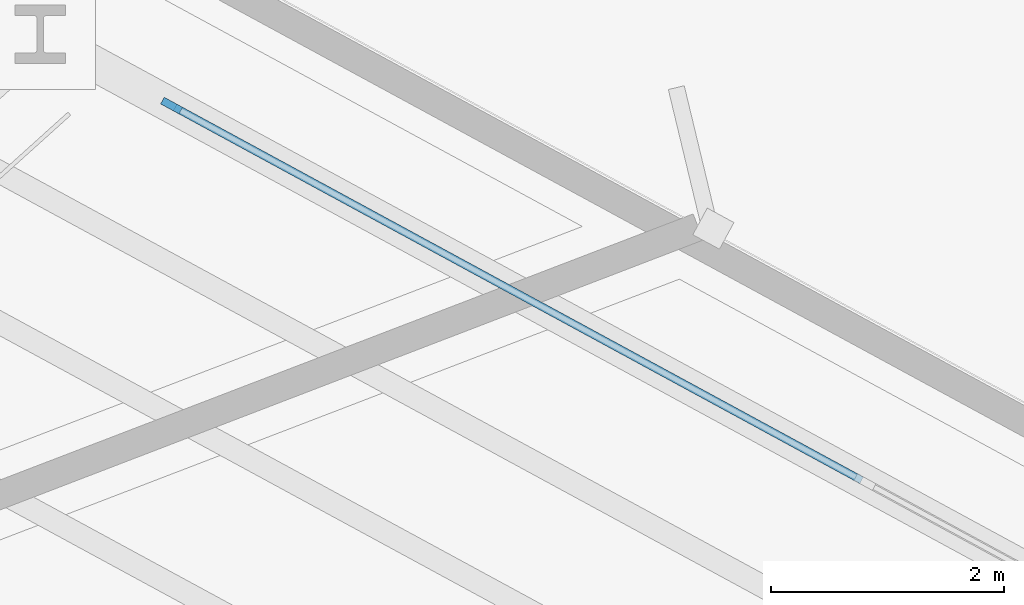
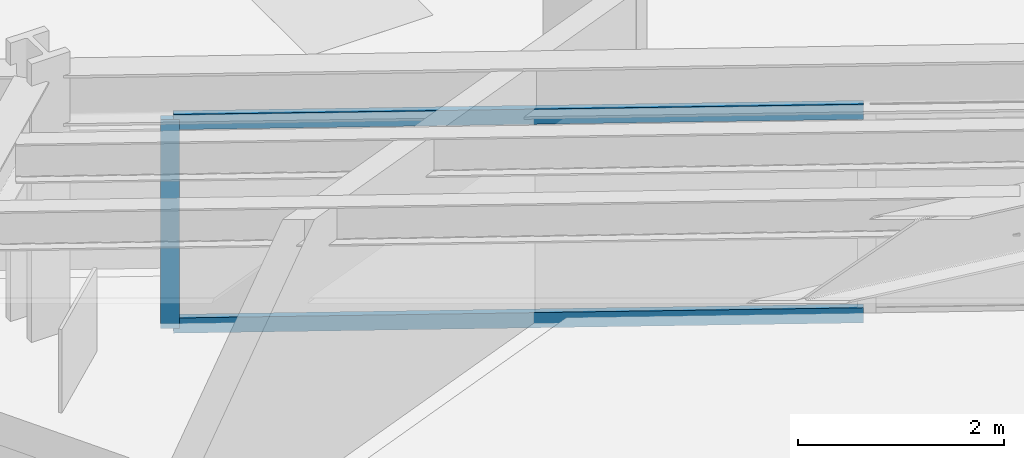
# One storey, part 6 of 13: 3 members, 1 element without a shape of its own.
"""IFC4 building model written with IfcOpenShell, lengths in metres."""

from ifc_helpers import new_model, si_unit, direction, frame, origin, origin_2d, place, context, subcontext, project, spatial, rectangle, extrude, material, layer, layer_set, material_profile, profile_set, type_object, element, aggregate, save


model = new_model("IFC4")

# Units and contexts
model_context = context("Model", 3, precision=1e-05, world=origin(), true_north=direction((0.0, 1.0)))
body_context = subcontext(model_context, "Body", "Model", "MODEL_VIEW")
ifc_project = project(units=[si_unit("LENGTHUNIT", "METRE"), si_unit("AREAUNIT", "SQUARE_METRE"), si_unit("VOLUMEUNIT", "CUBIC_METRE"), si_unit("PLANEANGLEUNIT", "RADIAN"), si_unit("MASSUNIT", "GRAM", prefix="KILO")], contexts=[model_context])

# Site, building, storey
site_placement = place(None, origin())
site = spatial("IfcSite", under=ifc_project, at=site_placement, CompositionType="ELEMENT")
building_placement = place(site_placement, origin())
building = spatial("IfcBuilding", under=site, at=building_placement, Name="Rocaltana Carrier Exchange", CompositionType="ELEMENT")
storey_placement = place(building_placement, frame((0.0, 0.0, 18.8798828125)))
storey = spatial("IfcBuildingStorey", under=building, at=storey_placement, Name="L06", CompositionType="ELEMENT", Elevation=18.8798828125)

# Curtain wall, members
ifc_material_1 = material(Name="Aluminium 6063-T6", Category="aluminium")
ifc_layer = layer(ifc_material_1, 0.179931640625)
ifc_layer_set = layer_set([ifc_layer], Name="Aluminium 6063-T6")
curtain_wall_type = type_object("IfcCurtainWallType", Name="Sandstone Spandrel Unitised Curtain Wall CW-01", PredefinedType="NOTDEFINED", material=ifc_layer_set)
curtain_wall_placement = place(storey_placement, origin())
curtain_wall = element("IfcCurtainWall", 1, at=curtain_wall_placement, inside=storey, type_object=curtain_wall_type, Name="L06 CW-01 Run CW-L06-F1S1", PredefinedType="NOTDEFINED")
ifc_material_2 = material(Name="Aluminium 6063-T6", Category="aluminium")
ifc_material_profile_1 = material_profile(ifc_material_2, rectangle(XDim=0.06494140625, YDim=0.179931640625, at=origin_2d()), Name="AL-65X180")
ifc_profile_set_1 = profile_set([ifc_material_profile_1], Name="Aluminium 6063-T6")
member_type_1 = type_object("IfcMemberType", Name="CW-01 Mullion AL-65X180", PredefinedType="MULLION", material=ifc_profile_set_1)
member_1_placement = place(storey_placement, frame((15.31884765625, 8.6552734375, 0.0), z_axis=(0.0, 0.0, 1.0), x_axis=(-0.477161473226, -0.878815639636, 0.0)))
member_1 = element("IfcMember", 2, at=member_1_placement, type_object=member_type_1, Name="CW-01 mullion 3", PredefinedType="MULLION", context=body_context, shape_type="SweptSolid", body=[
    extrude(rectangle(XDim=0.06494140625, YDim=0.179931640625, at=origin_2d()), origin(), (0.0, 0.0, 1.0), 2.47802734375),
])
ifc_material_3 = material(Name="Aluminium 6063-T6", Category="aluminium")
ifc_material_profile_2 = material_profile(ifc_material_3, rectangle(XDim=0.06494140625, YDim=0.179931640625, at=origin_2d()), Name="AL-65X180")
ifc_profile_set_2 = profile_set([ifc_material_profile_2], Name="Aluminium 6063-T6")
member_type_2 = type_object("IfcMemberType", Name="CW-01 Transom AL-65X180", PredefinedType="USERDEFINED", material=ifc_profile_set_2)
member_2_placement = place(storey_placement, frame((21.237548828125, 5.44140625, 0.03271484375), z_axis=(-0.87880717191, 0.477177068392, 0.0), x_axis=(-0.477177068392, -0.87880717191, 0.0)))
member_2 = element("IfcMember", 3, at=member_2_placement, type_object=member_type_2, Name="CW-01 transom 2.1", ObjectType="TRANSOM", PredefinedType="USERDEFINED", context=body_context, shape_type="SweptSolid", body=[
    extrude(rectangle(XDim=0.06494140625, YDim=0.179931640625, at=origin_2d()), origin(), (0.0, 0.0, 1.0), 6.702392578125),
])
member_3_placement = place(storey_placement, frame((21.237548828125, 5.44140625, 2.445556640625), z_axis=(-0.87880717191, 0.477177068392, 0.0), x_axis=(-0.477177068392, -0.87880717191, 0.0)))
member_3 = element("IfcMember", 4, at=member_3_placement, type_object=member_type_2, Name="CW-01 transom 2.2", ObjectType="TRANSOM", PredefinedType="USERDEFINED", context=body_context, shape_type="SweptSolid", body=[
    extrude(rectangle(XDim=0.06494140625, YDim=0.179931640625, at=origin_2d()), origin(), (0.0, 0.0, 1.0), 6.702392578125),
])
aggregate(curtain_wall, [member_1, member_2, member_3])

save(model, "model.ifc")
